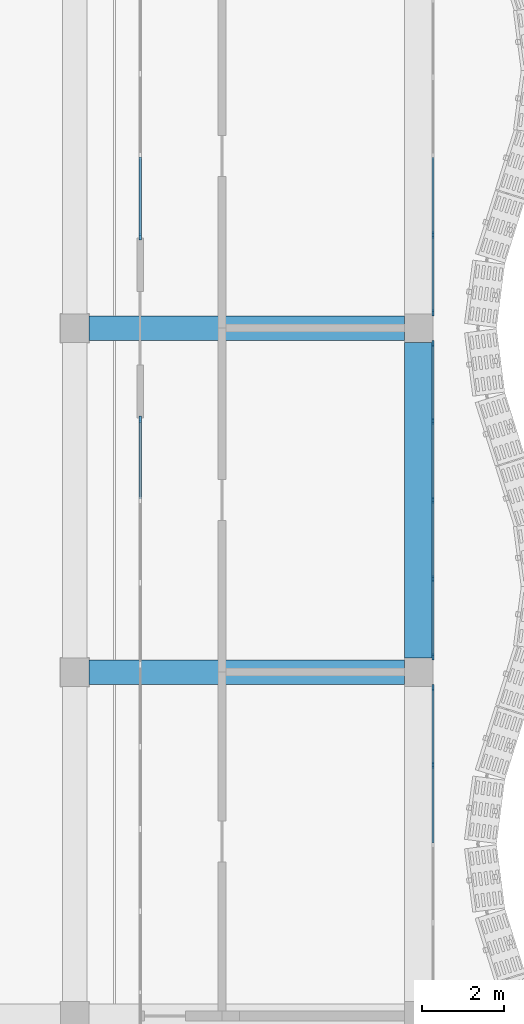
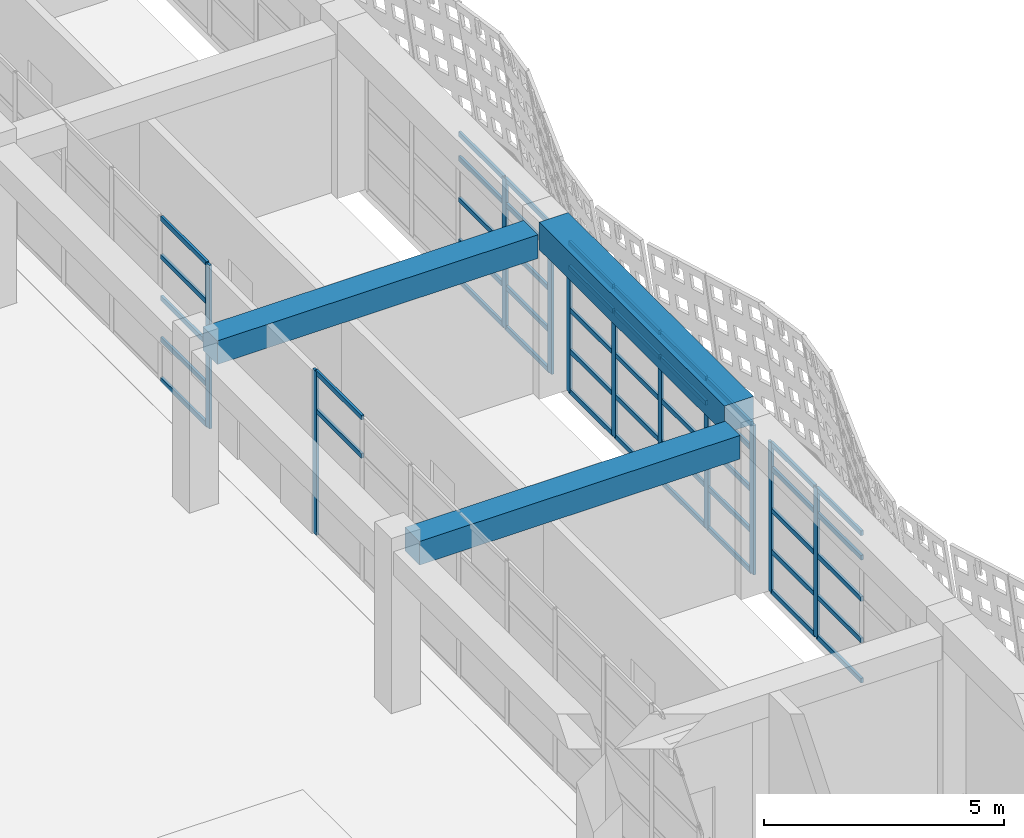
# One storey, part 8 of 85: 58 members, 3 beams, 5 elements without a shape of their own.
"""IFC4 building model written with IfcOpenShell, lengths in metres."""

from ifc_helpers import new_model, si_unit, direction, frame, origin, origin_2d, place, context, subcontext, project, spatial, rectangle, extrude, material, material_profile, profile_set, type_object, element, aggregate, save


model = new_model("IFC4")

# Units and contexts
model_context = context("Model", 3, precision=1e-05, world=origin(), true_north=direction((0.0, 1.0)))
body_context = subcontext(model_context, "Body", "Model", "MODEL_VIEW")
ifc_project = project(units=[si_unit("LENGTHUNIT", "METRE"), si_unit("AREAUNIT", "SQUARE_METRE"), si_unit("VOLUMEUNIT", "CUBIC_METRE"), si_unit("PLANEANGLEUNIT", "RADIAN"), si_unit("MASSUNIT", "GRAM", prefix="KILO")], contexts=[model_context])

# Site, building, storey
site_placement = place(None, origin())
site = spatial("IfcSite", under=ifc_project, at=site_placement, CompositionType="ELEMENT")
building_placement = place(site_placement, origin())
building = spatial("IfcBuilding", under=site, at=building_placement, Name="Rain Tree Exposition and Congress Centre", CompositionType="ELEMENT")
storey_placement = place(building_placement, frame((0.0, 0.0, 15.0)))
storey = spatial("IfcBuildingStorey", under=building, at=storey_placement, Name="L03", CompositionType="ELEMENT", Elevation=15.0)

# Beams
ifc_material_1 = material(Name="Precast concrete C50/60", Category="concrete")
ifc_material_profile_1 = material_profile(ifc_material_1, rectangle(XDim=0.60009765625, YDim=0.60009765625, at=origin_2d()), Name="RC 600x600")
ifc_profile_set_1 = profile_set([ifc_material_profile_1], Name="Precast concrete C50/60")
beam_type_1 = type_object("IfcBeamType", Name="Precast beam 600x600", PredefinedType="BEAM", material=ifc_profile_set_1)
for number, where, z_axis, x_axis, name in (
    (1, (42.35009765625, 16.800048828125, 3.85009765625), (1.0, 0.0, 0.0), (0.0, 1.0, 0.0), "wing/beam/L03/RF/031"),
    (2, (42.35009765625, 25.199951171875, 3.85009765625), (1.0, 0.0, 0.0), (0.0, 1.0, 0.0), "wing/beam/L03/RF/039"),
):
    element("IfcBeam", number, at=place(storey_placement, frame(where, z_axis=z_axis, x_axis=x_axis)), inside=storey, type_object=beam_type_1, Name=name, PredefinedType="BEAM", context=body_context, shape_type="SweptSolid", body=[
        extrude(rectangle(XDim=0.60009765625, YDim=0.60009765625, at=origin_2d()), origin(), (0.0, 0.0, 1.0), 7.699951171875),
    ])
ifc_material_2 = material(Name="Precast concrete C50/60", Category="concrete")
ifc_material_profile_2 = material_profile(ifc_material_2, rectangle(XDim=0.699951171875, YDim=0.699951171875, at=origin_2d()), Name="RC 700x700")
ifc_profile_set_2 = profile_set([ifc_material_profile_2], Name="Precast concrete C50/60")
beam_type_2 = type_object("IfcBeamType", Name="Precast spandrel beam 700x700", PredefinedType="SPANDREL", material=ifc_profile_set_2)
beam_placement = place(storey_placement, frame((50.39990234375, 17.14990234375, 4.14990234375), z_axis=(0.0, 1.0, 0.0), x_axis=(-1.0, 0.0, 0.0)))
element("IfcBeam", 3, at=beam_placement, inside=storey, type_object=beam_type_2, Name="wing/beam/L03/RF/066", PredefinedType="SPANDREL", context=body_context, shape_type="SweptSolid", body=[
    extrude(rectangle(XDim=0.699951171875, YDim=0.699951171875, at=origin_2d()), origin(), (0.0, 0.0, 1.0), 7.7001953125),
])

# Curtain wall, members
ifc_material_3 = material(Name="Aluminium curtain wall", Category="aluminium")
curtain_wall_type = type_object("IfcCurtainWallType", Name="Wing curtain wall 1925", PredefinedType="NOTDEFINED", material=ifc_material_3)
curtain_wall_1_placement = place(storey_placement, origin())
curtain_wall_1 = element("IfcCurtainWall", 4, at=curtain_wall_1_placement, inside=storey, type_object=curtain_wall_type, Name="Curtain wall CWW412", PredefinedType="NOTDEFINED")
ifc_material_4 = material(Name="Aluminium", Category="aluminium")
ifc_material_profile_3 = material_profile(ifc_material_4, rectangle(XDim=0.06005859375, YDim=0.159912109375, at=origin_2d()), Name="Aluminium 60x160")
ifc_profile_set_3 = profile_set([ifc_material_profile_3], Name="Aluminium")
member_type_1 = type_object("IfcMemberType", Name="Wing mullion 60x160", PredefinedType="MULLION", material=ifc_profile_set_3)
member_1_placement = place(storey_placement, frame((50.75, 14.52490234375, 0.0), z_axis=(0.0, 0.0, 1.0), x_axis=(-1.0, 0.0, 0.0)))
member_1 = element("IfcMember", 5, at=member_1_placement, type_object=member_type_1, Name="CWW412 mullion 4", PredefinedType="MULLION", context=body_context, shape_type="SweptSolid", body=[
    extrude(rectangle(XDim=0.06005859375, YDim=0.159912109375, at=origin_2d()), origin(), (0.0, 0.0, 1.0), 3.800048828125),
])
member_2_placement = place(storey_placement, frame((50.75, 16.419921875, 0.0), z_axis=(0.0, 0.0, 1.0), x_axis=(-1.0, 0.0, 0.0)))
member_2 = element("IfcMember", 6, at=member_2_placement, type_object=member_type_1, Name="CWW412 mullion 5", PredefinedType="MULLION", context=body_context, shape_type="SweptSolid", body=[
    extrude(rectangle(XDim=0.06005859375, YDim=0.159912109375, at=origin_2d()), origin(), (0.0, 0.0, 1.0), 3.800048828125),
])

curtain_wall_2_placement = place(storey_placement, origin())
curtain_wall_2 = element("IfcCurtainWall", 7, at=curtain_wall_2_placement, inside=storey, type_object=curtain_wall_type, Name="Curtain wall CWW413", PredefinedType="NOTDEFINED")
member_3_placement = place(storey_placement, frame((50.75, 17.179931640625, 0.0), z_axis=(0.0, 0.0, 1.0), x_axis=(-1.0, 0.0, 0.0)))
member_3 = element("IfcMember", 8, at=member_3_placement, type_object=member_type_1, Name="CWW413 mullion 1", PredefinedType="MULLION", context=body_context, shape_type="SweptSolid", body=[
    extrude(rectangle(XDim=0.06005859375, YDim=0.159912109375, at=origin_2d()), origin(), (0.0, 0.0, 1.0), 3.800048828125),
])
member_4_placement = place(storey_placement, frame((50.75, 19.074951171875, 0.0), z_axis=(0.0, 0.0, 1.0), x_axis=(-1.0, 0.0, 0.0)))
member_4 = element("IfcMember", 9, at=member_4_placement, type_object=member_type_1, Name="CWW413 mullion 2", PredefinedType="MULLION", context=body_context, shape_type="SweptSolid", body=[
    extrude(rectangle(XDim=0.06005859375, YDim=0.159912109375, at=origin_2d()), origin(), (0.0, 0.0, 1.0), 3.800048828125),
])
member_5_placement = place(storey_placement, frame((50.75, 21.0, 0.0), z_axis=(0.0, 0.0, 1.0), x_axis=(-1.0, 0.0, 0.0)))
member_5 = element("IfcMember", 10, at=member_5_placement, type_object=member_type_1, Name="CWW413 mullion 3", PredefinedType="MULLION", context=body_context, shape_type="SweptSolid", body=[
    extrude(rectangle(XDim=0.06005859375, YDim=0.159912109375, at=origin_2d()), origin(), (0.0, 0.0, 1.0), 3.800048828125),
])
member_6_placement = place(storey_placement, frame((50.75, 22.925048828125, 0.0), z_axis=(0.0, 0.0, 1.0), x_axis=(-1.0, 0.0, 0.0)))
member_6 = element("IfcMember", 11, at=member_6_placement, type_object=member_type_1, Name="CWW413 mullion 4", PredefinedType="MULLION", context=body_context, shape_type="SweptSolid", body=[
    extrude(rectangle(XDim=0.06005859375, YDim=0.159912109375, at=origin_2d()), origin(), (0.0, 0.0, 1.0), 3.800048828125),
])
member_7_placement = place(storey_placement, frame((50.75, 24.820068359375, 0.0), z_axis=(0.0, 0.0, 1.0), x_axis=(-1.0, 0.0, 0.0)))
member_7 = element("IfcMember", 12, at=member_7_placement, type_object=member_type_1, Name="CWW413 mullion 5", PredefinedType="MULLION", context=body_context, shape_type="SweptSolid", body=[
    extrude(rectangle(XDim=0.06005859375, YDim=0.159912109375, at=origin_2d()), origin(), (0.0, 0.0, 1.0), 3.800048828125),
])

curtain_wall_3_placement = place(storey_placement, origin())
curtain_wall_3 = element("IfcCurtainWall", 13, at=curtain_wall_3_placement, inside=storey, type_object=curtain_wall_type, Name="Curtain wall CWW414", PredefinedType="NOTDEFINED")
member_8_placement = place(storey_placement, frame((50.75, 25.580078125, 0.0), z_axis=(0.0, 0.0, 1.0), x_axis=(-1.0, 0.0, 0.0)))
member_8 = element("IfcMember", 14, at=member_8_placement, type_object=member_type_1, Name="CWW414 mullion 1", PredefinedType="MULLION", context=body_context, shape_type="SweptSolid", body=[
    extrude(rectangle(XDim=0.06005859375, YDim=0.159912109375, at=origin_2d()), origin(), (0.0, 0.0, 1.0), 3.800048828125),
])
member_9_placement = place(storey_placement, frame((50.75, 27.47509765625, 0.0), z_axis=(0.0, 0.0, 1.0), x_axis=(-1.0, 0.0, 0.0)))
member_9 = element("IfcMember", 15, at=member_9_placement, type_object=member_type_1, Name="CWW414 mullion 2", PredefinedType="MULLION", context=body_context, shape_type="SweptSolid", body=[
    extrude(rectangle(XDim=0.06005859375, YDim=0.159912109375, at=origin_2d()), origin(), (0.0, 0.0, 1.0), 3.800048828125),
])

# Curtain wall, member
curtain_wall_4_placement = place(storey_placement, origin())
curtain_wall_4 = element("IfcCurtainWall", 16, at=curtain_wall_4_placement, inside=storey, type_object=curtain_wall_type, Name="Curtain wall CWW507", PredefinedType="NOTDEFINED")
member_10_placement = place(storey_placement, frame((43.60009765625, 22.969970703125, 0.0), z_axis=(0.0, 0.0, 1.0), x_axis=(-1.0, 0.0, 0.0)))
member_10 = element("IfcMember", 17, at=member_10_placement, type_object=member_type_1, Name="CWW507 mullion 9", PredefinedType="MULLION", context=body_context, shape_type="SweptSolid", body=[
    extrude(rectangle(XDim=0.06005859375, YDim=0.159912109375, at=origin_2d()), origin(), (0.0, 0.0, 1.0), 4.14990234375),
])

curtain_wall_5_placement = place(storey_placement, origin())
curtain_wall_5 = element("IfcCurtainWall", 18, at=curtain_wall_5_placement, inside=storey, type_object=curtain_wall_type, Name="Curtain wall CWW508", PredefinedType="NOTDEFINED")
member_11_placement = place(storey_placement, frame((43.60009765625, 27.429931640625, 0.0), z_axis=(0.0, 0.0, 1.0), x_axis=(-1.0, 0.0, 0.0)))
member_11 = element("IfcMember", 19, at=member_11_placement, type_object=member_type_1, Name="CWW508 mullion 1", PredefinedType="MULLION", context=body_context, shape_type="SweptSolid", body=[
    extrude(rectangle(XDim=0.06005859375, YDim=0.159912109375, at=origin_2d()), origin(), (0.0, 0.0, 1.0), 4.14990234375),
])

# Member
ifc_material_5 = material(Name="Aluminium", Category="aluminium")
ifc_material_profile_4 = material_profile(ifc_material_5, rectangle(XDim=0.06005859375, YDim=0.1201171875, at=origin_2d()), Name="Aluminium 60x120")
ifc_profile_set_4 = profile_set([ifc_material_profile_4], Name="Aluminium")
member_type_2 = type_object("IfcMemberType", Name="Wing transom 60x120", PredefinedType="USERDEFINED", material=ifc_profile_set_4)
member_12_placement = place(storey_placement, frame((50.75, 12.6298828125, 0.030029296875), z_axis=(0.0, 1.0, 0.0), x_axis=(-1.0, 0.0, 0.0)))
member_12 = element("IfcMember", 20, at=member_12_placement, type_object=member_type_2, Name="CWW412 transom 3.1", ObjectType="TRANSOM", PredefinedType="USERDEFINED", context=body_context, shape_type="SweptSolid", body=[
    extrude(rectangle(XDim=0.06005859375, YDim=0.1201171875, at=origin_2d()), origin(), (0.0, 0.0, 1.0), 1.865234375),
])

member_13_placement = place(storey_placement, frame((50.75, 12.6298828125, 1.050048828125), z_axis=(0.0, 1.0, 0.0), x_axis=(-1.0, 0.0, 0.0)))
member_13 = element("IfcMember", 21, at=member_13_placement, type_object=member_type_2, Name="CWW412 transom 3.2", ObjectType="TRANSOM", PredefinedType="USERDEFINED", context=body_context, shape_type="SweptSolid", body=[
    extrude(rectangle(XDim=0.06005859375, YDim=0.1201171875, at=origin_2d()), origin(), (0.0, 0.0, 1.0), 1.865234375),
])

member_14_placement = place(storey_placement, frame((50.75, 12.6298828125, 2.10009765625), z_axis=(0.0, 1.0, 0.0), x_axis=(-1.0, 0.0, 0.0)))
member_14 = element("IfcMember", 22, at=member_14_placement, type_object=member_type_2, Name="CWW412 transom 3.3", ObjectType="TRANSOM", PredefinedType="USERDEFINED", context=body_context, shape_type="SweptSolid", body=[
    extrude(rectangle(XDim=0.06005859375, YDim=0.1201171875, at=origin_2d()), origin(), (0.0, 0.0, 1.0), 1.865234375),
])

member_15_placement = place(storey_placement, frame((50.75, 12.6298828125, 3.14990234375), z_axis=(0.0, 1.0, 0.0), x_axis=(-1.0, 0.0, 0.0)))
member_15 = element("IfcMember", 23, at=member_15_placement, type_object=member_type_2, Name="CWW412 transom 3.4", ObjectType="TRANSOM", PredefinedType="USERDEFINED", context=body_context, shape_type="SweptSolid", body=[
    extrude(rectangle(XDim=0.06005859375, YDim=0.1201171875, at=origin_2d()), origin(), (0.0, 0.0, 1.0), 1.865234375),
])

member_16_placement = place(storey_placement, frame((50.75, 12.6298828125, 3.77001953125), z_axis=(0.0, 1.0, 0.0), x_axis=(-1.0, 0.0, 0.0)))
member_16 = element("IfcMember", 24, at=member_16_placement, type_object=member_type_2, Name="CWW412 transom 3.5", ObjectType="TRANSOM", PredefinedType="USERDEFINED", context=body_context, shape_type="SweptSolid", body=[
    extrude(rectangle(XDim=0.06005859375, YDim=0.1201171875, at=origin_2d()), origin(), (0.0, 0.0, 1.0), 1.865234375),
])

member_17_placement = place(storey_placement, frame((50.75, 14.554931640625, 0.030029296875), z_axis=(0.0, 1.0, 0.0), x_axis=(-1.0, 0.0, 0.0)))
member_17 = element("IfcMember", 25, at=member_17_placement, type_object=member_type_2, Name="CWW412 transom 4.1", ObjectType="TRANSOM", PredefinedType="USERDEFINED", context=body_context, shape_type="SweptSolid", body=[
    extrude(rectangle(XDim=0.06005859375, YDim=0.1201171875, at=origin_2d()), origin(), (0.0, 0.0, 1.0), 1.8349609375),
])

member_18_placement = place(storey_placement, frame((50.75, 14.554931640625, 1.050048828125), z_axis=(0.0, 1.0, 0.0), x_axis=(-1.0, 0.0, 0.0)))
member_18 = element("IfcMember", 26, at=member_18_placement, type_object=member_type_2, Name="CWW412 transom 4.2", ObjectType="TRANSOM", PredefinedType="USERDEFINED", context=body_context, shape_type="SweptSolid", body=[
    extrude(rectangle(XDim=0.06005859375, YDim=0.1201171875, at=origin_2d()), origin(), (0.0, 0.0, 1.0), 1.8349609375),
])

member_19_placement = place(storey_placement, frame((50.75, 14.554931640625, 2.10009765625), z_axis=(0.0, 1.0, 0.0), x_axis=(-1.0, 0.0, 0.0)))
member_19 = element("IfcMember", 27, at=member_19_placement, type_object=member_type_2, Name="CWW412 transom 4.3", ObjectType="TRANSOM", PredefinedType="USERDEFINED", context=body_context, shape_type="SweptSolid", body=[
    extrude(rectangle(XDim=0.06005859375, YDim=0.1201171875, at=origin_2d()), origin(), (0.0, 0.0, 1.0), 1.8349609375),
])

member_20_placement = place(storey_placement, frame((50.75, 14.554931640625, 3.14990234375), z_axis=(0.0, 1.0, 0.0), x_axis=(-1.0, 0.0, 0.0)))
member_20 = element("IfcMember", 28, at=member_20_placement, type_object=member_type_2, Name="CWW412 transom 4.4", ObjectType="TRANSOM", PredefinedType="USERDEFINED", context=body_context, shape_type="SweptSolid", body=[
    extrude(rectangle(XDim=0.06005859375, YDim=0.1201171875, at=origin_2d()), origin(), (0.0, 0.0, 1.0), 1.8349609375),
])

member_21_placement = place(storey_placement, frame((50.75, 14.554931640625, 3.77001953125), z_axis=(0.0, 1.0, 0.0), x_axis=(-1.0, 0.0, 0.0)))
member_21 = element("IfcMember", 29, at=member_21_placement, type_object=member_type_2, Name="CWW412 transom 4.5", ObjectType="TRANSOM", PredefinedType="USERDEFINED", context=body_context, shape_type="SweptSolid", body=[
    extrude(rectangle(XDim=0.06005859375, YDim=0.1201171875, at=origin_2d()), origin(), (0.0, 0.0, 1.0), 1.8349609375),
])

aggregate(curtain_wall_1, [member_1, member_2, member_12, member_13, member_14, member_15, member_16, member_17, member_18, member_19, member_20, member_21])

member_22_placement = place(storey_placement, frame((50.75, 17.2099609375, 0.030029296875), z_axis=(0.0, 1.0, 0.0), x_axis=(-1.0, 0.0, 0.0)))
member_22 = element("IfcMember", 30, at=member_22_placement, type_object=member_type_2, Name="CWW413 transom 1.1", ObjectType="TRANSOM", PredefinedType="USERDEFINED", context=body_context, shape_type="SweptSolid", body=[
    extrude(rectangle(XDim=0.06005859375, YDim=0.1201171875, at=origin_2d()), origin(), (0.0, 0.0, 1.0), 1.8349609375),
])

member_23_placement = place(storey_placement, frame((50.75, 17.2099609375, 1.050048828125), z_axis=(0.0, 1.0, 0.0), x_axis=(-1.0, 0.0, 0.0)))
member_23 = element("IfcMember", 31, at=member_23_placement, type_object=member_type_2, Name="CWW413 transom 1.2", ObjectType="TRANSOM", PredefinedType="USERDEFINED", context=body_context, shape_type="SweptSolid", body=[
    extrude(rectangle(XDim=0.06005859375, YDim=0.1201171875, at=origin_2d()), origin(), (0.0, 0.0, 1.0), 1.8349609375),
])

member_24_placement = place(storey_placement, frame((50.75, 17.2099609375, 2.10009765625), z_axis=(0.0, 1.0, 0.0), x_axis=(-1.0, 0.0, 0.0)))
member_24 = element("IfcMember", 32, at=member_24_placement, type_object=member_type_2, Name="CWW413 transom 1.3", ObjectType="TRANSOM", PredefinedType="USERDEFINED", context=body_context, shape_type="SweptSolid", body=[
    extrude(rectangle(XDim=0.06005859375, YDim=0.1201171875, at=origin_2d()), origin(), (0.0, 0.0, 1.0), 1.8349609375),
])

member_25_placement = place(storey_placement, frame((50.75, 17.2099609375, 3.14990234375), z_axis=(0.0, 1.0, 0.0), x_axis=(-1.0, 0.0, 0.0)))
member_25 = element("IfcMember", 33, at=member_25_placement, type_object=member_type_2, Name="CWW413 transom 1.4", ObjectType="TRANSOM", PredefinedType="USERDEFINED", context=body_context, shape_type="SweptSolid", body=[
    extrude(rectangle(XDim=0.06005859375, YDim=0.1201171875, at=origin_2d()), origin(), (0.0, 0.0, 1.0), 1.8349609375),
])

member_26_placement = place(storey_placement, frame((50.75, 17.2099609375, 3.77001953125), z_axis=(0.0, 1.0, 0.0), x_axis=(-1.0, 0.0, 0.0)))
member_26 = element("IfcMember", 34, at=member_26_placement, type_object=member_type_2, Name="CWW413 transom 1.5", ObjectType="TRANSOM", PredefinedType="USERDEFINED", context=body_context, shape_type="SweptSolid", body=[
    extrude(rectangle(XDim=0.06005859375, YDim=0.1201171875, at=origin_2d()), origin(), (0.0, 0.0, 1.0), 1.8349609375),
])

member_27_placement = place(storey_placement, frame((50.75, 19.10498046875, 0.030029296875), z_axis=(0.0, 1.0, 0.0), x_axis=(-1.0, 0.0, 0.0)))
member_27 = element("IfcMember", 35, at=member_27_placement, type_object=member_type_2, Name="CWW413 transom 2.1", ObjectType="TRANSOM", PredefinedType="USERDEFINED", context=body_context, shape_type="SweptSolid", body=[
    extrude(rectangle(XDim=0.06005859375, YDim=0.1201171875, at=origin_2d()), origin(), (0.0, 0.0, 1.0), 1.864990234375),
])

member_28_placement = place(storey_placement, frame((50.75, 19.10498046875, 1.050048828125), z_axis=(0.0, 1.0, 0.0), x_axis=(-1.0, 0.0, 0.0)))
member_28 = element("IfcMember", 36, at=member_28_placement, type_object=member_type_2, Name="CWW413 transom 2.2", ObjectType="TRANSOM", PredefinedType="USERDEFINED", context=body_context, shape_type="SweptSolid", body=[
    extrude(rectangle(XDim=0.06005859375, YDim=0.1201171875, at=origin_2d()), origin(), (0.0, 0.0, 1.0), 1.864990234375),
])

member_29_placement = place(storey_placement, frame((50.75, 19.10498046875, 2.10009765625), z_axis=(0.0, 1.0, 0.0), x_axis=(-1.0, 0.0, 0.0)))
member_29 = element("IfcMember", 37, at=member_29_placement, type_object=member_type_2, Name="CWW413 transom 2.3", ObjectType="TRANSOM", PredefinedType="USERDEFINED", context=body_context, shape_type="SweptSolid", body=[
    extrude(rectangle(XDim=0.06005859375, YDim=0.1201171875, at=origin_2d()), origin(), (0.0, 0.0, 1.0), 1.864990234375),
])

member_30_placement = place(storey_placement, frame((50.75, 19.10498046875, 3.14990234375), z_axis=(0.0, 1.0, 0.0), x_axis=(-1.0, 0.0, 0.0)))
member_30 = element("IfcMember", 38, at=member_30_placement, type_object=member_type_2, Name="CWW413 transom 2.4", ObjectType="TRANSOM", PredefinedType="USERDEFINED", context=body_context, shape_type="SweptSolid", body=[
    extrude(rectangle(XDim=0.06005859375, YDim=0.1201171875, at=origin_2d()), origin(), (0.0, 0.0, 1.0), 1.864990234375),
])

member_31_placement = place(storey_placement, frame((50.75, 19.10498046875, 3.77001953125), z_axis=(0.0, 1.0, 0.0), x_axis=(-1.0, 0.0, 0.0)))
member_31 = element("IfcMember", 39, at=member_31_placement, type_object=member_type_2, Name="CWW413 transom 2.5", ObjectType="TRANSOM", PredefinedType="USERDEFINED", context=body_context, shape_type="SweptSolid", body=[
    extrude(rectangle(XDim=0.06005859375, YDim=0.1201171875, at=origin_2d()), origin(), (0.0, 0.0, 1.0), 1.864990234375),
])

member_32_placement = place(storey_placement, frame((50.75, 21.030029296875, 0.030029296875), z_axis=(0.0, 1.0, 0.0), x_axis=(-1.0, 0.0, 0.0)))
member_32 = element("IfcMember", 40, at=member_32_placement, type_object=member_type_2, Name="CWW413 transom 3.1", ObjectType="TRANSOM", PredefinedType="USERDEFINED", context=body_context, shape_type="SweptSolid", body=[
    extrude(rectangle(XDim=0.06005859375, YDim=0.1201171875, at=origin_2d()), origin(), (0.0, 0.0, 1.0), 1.864990234375),
])

member_33_placement = place(storey_placement, frame((50.75, 21.030029296875, 1.050048828125), z_axis=(0.0, 1.0, 0.0), x_axis=(-1.0, 0.0, 0.0)))
member_33 = element("IfcMember", 41, at=member_33_placement, type_object=member_type_2, Name="CWW413 transom 3.2", ObjectType="TRANSOM", PredefinedType="USERDEFINED", context=body_context, shape_type="SweptSolid", body=[
    extrude(rectangle(XDim=0.06005859375, YDim=0.1201171875, at=origin_2d()), origin(), (0.0, 0.0, 1.0), 1.864990234375),
])

member_34_placement = place(storey_placement, frame((50.75, 21.030029296875, 2.10009765625), z_axis=(0.0, 1.0, 0.0), x_axis=(-1.0, 0.0, 0.0)))
member_34 = element("IfcMember", 42, at=member_34_placement, type_object=member_type_2, Name="CWW413 transom 3.3", ObjectType="TRANSOM", PredefinedType="USERDEFINED", context=body_context, shape_type="SweptSolid", body=[
    extrude(rectangle(XDim=0.06005859375, YDim=0.1201171875, at=origin_2d()), origin(), (0.0, 0.0, 1.0), 1.864990234375),
])

member_35_placement = place(storey_placement, frame((50.75, 21.030029296875, 3.14990234375), z_axis=(0.0, 1.0, 0.0), x_axis=(-1.0, 0.0, 0.0)))
member_35 = element("IfcMember", 43, at=member_35_placement, type_object=member_type_2, Name="CWW413 transom 3.4", ObjectType="TRANSOM", PredefinedType="USERDEFINED", context=body_context, shape_type="SweptSolid", body=[
    extrude(rectangle(XDim=0.06005859375, YDim=0.1201171875, at=origin_2d()), origin(), (0.0, 0.0, 1.0), 1.864990234375),
])

member_36_placement = place(storey_placement, frame((50.75, 21.030029296875, 3.77001953125), z_axis=(0.0, 1.0, 0.0), x_axis=(-1.0, 0.0, 0.0)))
member_36 = element("IfcMember", 44, at=member_36_placement, type_object=member_type_2, Name="CWW413 transom 3.5", ObjectType="TRANSOM", PredefinedType="USERDEFINED", context=body_context, shape_type="SweptSolid", body=[
    extrude(rectangle(XDim=0.06005859375, YDim=0.1201171875, at=origin_2d()), origin(), (0.0, 0.0, 1.0), 1.864990234375),
])

member_37_placement = place(storey_placement, frame((50.75, 22.955078125, 0.030029296875), z_axis=(0.0, 1.0, 0.0), x_axis=(-1.0, 0.0, 0.0)))
member_37 = element("IfcMember", 45, at=member_37_placement, type_object=member_type_2, Name="CWW413 transom 4.1", ObjectType="TRANSOM", PredefinedType="USERDEFINED", context=body_context, shape_type="SweptSolid", body=[
    extrude(rectangle(XDim=0.06005859375, YDim=0.1201171875, at=origin_2d()), origin(), (0.0, 0.0, 1.0), 1.8349609375),
])

member_38_placement = place(storey_placement, frame((50.75, 22.955078125, 1.050048828125), z_axis=(0.0, 1.0, 0.0), x_axis=(-1.0, 0.0, 0.0)))
member_38 = element("IfcMember", 46, at=member_38_placement, type_object=member_type_2, Name="CWW413 transom 4.2", ObjectType="TRANSOM", PredefinedType="USERDEFINED", context=body_context, shape_type="SweptSolid", body=[
    extrude(rectangle(XDim=0.06005859375, YDim=0.1201171875, at=origin_2d()), origin(), (0.0, 0.0, 1.0), 1.8349609375),
])

member_39_placement = place(storey_placement, frame((50.75, 22.955078125, 2.10009765625), z_axis=(0.0, 1.0, 0.0), x_axis=(-1.0, 0.0, 0.0)))
member_39 = element("IfcMember", 47, at=member_39_placement, type_object=member_type_2, Name="CWW413 transom 4.3", ObjectType="TRANSOM", PredefinedType="USERDEFINED", context=body_context, shape_type="SweptSolid", body=[
    extrude(rectangle(XDim=0.06005859375, YDim=0.1201171875, at=origin_2d()), origin(), (0.0, 0.0, 1.0), 1.8349609375),
])

member_40_placement = place(storey_placement, frame((50.75, 22.955078125, 3.14990234375), z_axis=(0.0, 1.0, 0.0), x_axis=(-1.0, 0.0, 0.0)))
member_40 = element("IfcMember", 48, at=member_40_placement, type_object=member_type_2, Name="CWW413 transom 4.4", ObjectType="TRANSOM", PredefinedType="USERDEFINED", context=body_context, shape_type="SweptSolid", body=[
    extrude(rectangle(XDim=0.06005859375, YDim=0.1201171875, at=origin_2d()), origin(), (0.0, 0.0, 1.0), 1.8349609375),
])

member_41_placement = place(storey_placement, frame((50.75, 22.955078125, 3.77001953125), z_axis=(0.0, 1.0, 0.0), x_axis=(-1.0, 0.0, 0.0)))
member_41 = element("IfcMember", 49, at=member_41_placement, type_object=member_type_2, Name="CWW413 transom 4.5", ObjectType="TRANSOM", PredefinedType="USERDEFINED", context=body_context, shape_type="SweptSolid", body=[
    extrude(rectangle(XDim=0.06005859375, YDim=0.1201171875, at=origin_2d()), origin(), (0.0, 0.0, 1.0), 1.8349609375),
])

aggregate(curtain_wall_2, [member_3, member_4, member_5, member_6, member_7, member_22, member_23, member_24, member_25, member_26, member_27, member_28, member_29, member_30, member_31, member_32, member_33, member_34, member_35, member_36, member_37, member_38, member_39, member_40, member_41])

member_42_placement = place(storey_placement, frame((50.75, 25.610107421875, 0.030029296875), z_axis=(0.0, 1.0, 0.0), x_axis=(-1.0, 0.0, 0.0)))
member_42 = element("IfcMember", 50, at=member_42_placement, type_object=member_type_2, Name="CWW414 transom 1.1", ObjectType="TRANSOM", PredefinedType="USERDEFINED", context=body_context, shape_type="SweptSolid", body=[
    extrude(rectangle(XDim=0.06005859375, YDim=0.1201171875, at=origin_2d()), origin(), (0.0, 0.0, 1.0), 1.8349609375),
])

member_43_placement = place(storey_placement, frame((50.75, 25.610107421875, 1.050048828125), z_axis=(0.0, 1.0, 0.0), x_axis=(-1.0, 0.0, 0.0)))
member_43 = element("IfcMember", 51, at=member_43_placement, type_object=member_type_2, Name="CWW414 transom 1.2", ObjectType="TRANSOM", PredefinedType="USERDEFINED", context=body_context, shape_type="SweptSolid", body=[
    extrude(rectangle(XDim=0.06005859375, YDim=0.1201171875, at=origin_2d()), origin(), (0.0, 0.0, 1.0), 1.8349609375),
])

member_44_placement = place(storey_placement, frame((50.75, 25.610107421875, 2.10009765625), z_axis=(0.0, 1.0, 0.0), x_axis=(-1.0, 0.0, 0.0)))
member_44 = element("IfcMember", 52, at=member_44_placement, type_object=member_type_2, Name="CWW414 transom 1.3", ObjectType="TRANSOM", PredefinedType="USERDEFINED", context=body_context, shape_type="SweptSolid", body=[
    extrude(rectangle(XDim=0.06005859375, YDim=0.1201171875, at=origin_2d()), origin(), (0.0, 0.0, 1.0), 1.8349609375),
])

member_45_placement = place(storey_placement, frame((50.75, 25.610107421875, 3.14990234375), z_axis=(0.0, 1.0, 0.0), x_axis=(-1.0, 0.0, 0.0)))
member_45 = element("IfcMember", 53, at=member_45_placement, type_object=member_type_2, Name="CWW414 transom 1.4", ObjectType="TRANSOM", PredefinedType="USERDEFINED", context=body_context, shape_type="SweptSolid", body=[
    extrude(rectangle(XDim=0.06005859375, YDim=0.1201171875, at=origin_2d()), origin(), (0.0, 0.0, 1.0), 1.8349609375),
])

member_46_placement = place(storey_placement, frame((50.75, 25.610107421875, 3.77001953125), z_axis=(0.0, 1.0, 0.0), x_axis=(-1.0, 0.0, 0.0)))
member_46 = element("IfcMember", 54, at=member_46_placement, type_object=member_type_2, Name="CWW414 transom 1.5", ObjectType="TRANSOM", PredefinedType="USERDEFINED", context=body_context, shape_type="SweptSolid", body=[
    extrude(rectangle(XDim=0.06005859375, YDim=0.1201171875, at=origin_2d()), origin(), (0.0, 0.0, 1.0), 1.8349609375),
])

member_47_placement = place(storey_placement, frame((50.75, 27.5048828125, 0.030029296875), z_axis=(0.0, 1.0, 0.0), x_axis=(-1.0, 0.0, 0.0)))
member_47 = element("IfcMember", 55, at=member_47_placement, type_object=member_type_2, Name="CWW414 transom 2.1", ObjectType="TRANSOM", PredefinedType="USERDEFINED", context=body_context, shape_type="SweptSolid", body=[
    extrude(rectangle(XDim=0.06005859375, YDim=0.1201171875, at=origin_2d()), origin(), (0.0, 0.0, 1.0), 1.865234375),
])

member_48_placement = place(storey_placement, frame((50.75, 27.5048828125, 1.050048828125), z_axis=(0.0, 1.0, 0.0), x_axis=(-1.0, 0.0, 0.0)))
member_48 = element("IfcMember", 56, at=member_48_placement, type_object=member_type_2, Name="CWW414 transom 2.2", ObjectType="TRANSOM", PredefinedType="USERDEFINED", context=body_context, shape_type="SweptSolid", body=[
    extrude(rectangle(XDim=0.06005859375, YDim=0.1201171875, at=origin_2d()), origin(), (0.0, 0.0, 1.0), 1.865234375),
])

member_49_placement = place(storey_placement, frame((50.75, 27.5048828125, 2.10009765625), z_axis=(0.0, 1.0, 0.0), x_axis=(-1.0, 0.0, 0.0)))
member_49 = element("IfcMember", 57, at=member_49_placement, type_object=member_type_2, Name="CWW414 transom 2.3", ObjectType="TRANSOM", PredefinedType="USERDEFINED", context=body_context, shape_type="SweptSolid", body=[
    extrude(rectangle(XDim=0.06005859375, YDim=0.1201171875, at=origin_2d()), origin(), (0.0, 0.0, 1.0), 1.865234375),
])

member_50_placement = place(storey_placement, frame((50.75, 27.5048828125, 3.14990234375), z_axis=(0.0, 1.0, 0.0), x_axis=(-1.0, 0.0, 0.0)))
member_50 = element("IfcMember", 58, at=member_50_placement, type_object=member_type_2, Name="CWW414 transom 2.4", ObjectType="TRANSOM", PredefinedType="USERDEFINED", context=body_context, shape_type="SweptSolid", body=[
    extrude(rectangle(XDim=0.06005859375, YDim=0.1201171875, at=origin_2d()), origin(), (0.0, 0.0, 1.0), 1.865234375),
])

member_51_placement = place(storey_placement, frame((50.75, 27.5048828125, 3.77001953125), z_axis=(0.0, 1.0, 0.0), x_axis=(-1.0, 0.0, 0.0)))
member_51 = element("IfcMember", 59, at=member_51_placement, type_object=member_type_2, Name="CWW414 transom 2.5", ObjectType="TRANSOM", PredefinedType="USERDEFINED", context=body_context, shape_type="SweptSolid", body=[
    extrude(rectangle(XDim=0.06005859375, YDim=0.1201171875, at=origin_2d()), origin(), (0.0, 0.0, 1.0), 1.865234375),
])

aggregate(curtain_wall_3, [member_8, member_9, member_42, member_43, member_44, member_45, member_46, member_47, member_48, member_49, member_50, member_51])

member_52_placement = place(storey_placement, frame((43.60009765625, 21.023681640625, 3.14990234375), z_axis=(0.0, 1.0, 0.0), x_axis=(-1.0, 0.0, 0.0)))
member_52 = element("IfcMember", 60, at=member_52_placement, type_object=member_type_2, Name="CWW507 transom 8.4", ObjectType="TRANSOM", PredefinedType="USERDEFINED", context=body_context, shape_type="SweptSolid", body=[
    extrude(rectangle(XDim=0.06005859375, YDim=0.1201171875, at=origin_2d()), origin(), (0.0, 0.0, 1.0), 1.916259765625),
])

member_53_placement = place(storey_placement, frame((43.60009765625, 21.023681640625, 4.1201171875), z_axis=(0.0, 1.0, 0.0), x_axis=(-1.0, 0.0, 0.0)))
member_53 = element("IfcMember", 61, at=member_53_placement, type_object=member_type_2, Name="CWW507 transom 8.5", ObjectType="TRANSOM", PredefinedType="USERDEFINED", context=body_context, shape_type="SweptSolid", body=[
    extrude(rectangle(XDim=0.06005859375, YDim=0.1201171875, at=origin_2d()), origin(), (0.0, 0.0, 1.0), 1.916259765625),
])

aggregate(curtain_wall_4, [member_10, member_52, member_53])

member_54_placement = place(storey_placement, frame((43.60009765625, 27.4599609375, 0.030029296875), z_axis=(0.0, 1.0, 0.0), x_axis=(-1.0, 0.0, 0.0)))
member_54 = element("IfcMember", 62, at=member_54_placement, type_object=member_type_2, Name="CWW508 transom 1.1", ObjectType="TRANSOM", PredefinedType="USERDEFINED", context=body_context, shape_type="SweptSolid", body=[
    extrude(rectangle(XDim=0.06005859375, YDim=0.1201171875, at=origin_2d()), origin(), (0.0, 0.0, 1.0), 1.916259765625),
])

member_55_placement = place(storey_placement, frame((43.60009765625, 27.4599609375, 1.050048828125), z_axis=(0.0, 1.0, 0.0), x_axis=(-1.0, 0.0, 0.0)))
member_55 = element("IfcMember", 63, at=member_55_placement, type_object=member_type_2, Name="CWW508 transom 1.2", ObjectType="TRANSOM", PredefinedType="USERDEFINED", context=body_context, shape_type="SweptSolid", body=[
    extrude(rectangle(XDim=0.06005859375, YDim=0.1201171875, at=origin_2d()), origin(), (0.0, 0.0, 1.0), 1.916259765625),
])

member_56_placement = place(storey_placement, frame((43.60009765625, 27.4599609375, 2.10009765625), z_axis=(0.0, 1.0, 0.0), x_axis=(-1.0, 0.0, 0.0)))
member_56 = element("IfcMember", 64, at=member_56_placement, type_object=member_type_2, Name="CWW508 transom 1.3", ObjectType="TRANSOM", PredefinedType="USERDEFINED", context=body_context, shape_type="SweptSolid", body=[
    extrude(rectangle(XDim=0.06005859375, YDim=0.1201171875, at=origin_2d()), origin(), (0.0, 0.0, 1.0), 1.916259765625),
])

member_57_placement = place(storey_placement, frame((43.60009765625, 27.4599609375, 3.14990234375), z_axis=(0.0, 1.0, 0.0), x_axis=(-1.0, 0.0, 0.0)))
member_57 = element("IfcMember", 65, at=member_57_placement, type_object=member_type_2, Name="CWW508 transom 1.4", ObjectType="TRANSOM", PredefinedType="USERDEFINED", context=body_context, shape_type="SweptSolid", body=[
    extrude(rectangle(XDim=0.06005859375, YDim=0.1201171875, at=origin_2d()), origin(), (0.0, 0.0, 1.0), 1.916259765625),
])

member_58_placement = place(storey_placement, frame((43.60009765625, 27.4599609375, 4.1201171875), z_axis=(0.0, 1.0, 0.0), x_axis=(-1.0, 0.0, 0.0)))
member_58 = element("IfcMember", 66, at=member_58_placement, type_object=member_type_2, Name="CWW508 transom 1.5", ObjectType="TRANSOM", PredefinedType="USERDEFINED", context=body_context, shape_type="SweptSolid", body=[
    extrude(rectangle(XDim=0.06005859375, YDim=0.1201171875, at=origin_2d()), origin(), (0.0, 0.0, 1.0), 1.916259765625),
])

aggregate(curtain_wall_5, [member_11, member_54, member_55, member_56, member_57, member_58])

save(model, "model.ifc")
